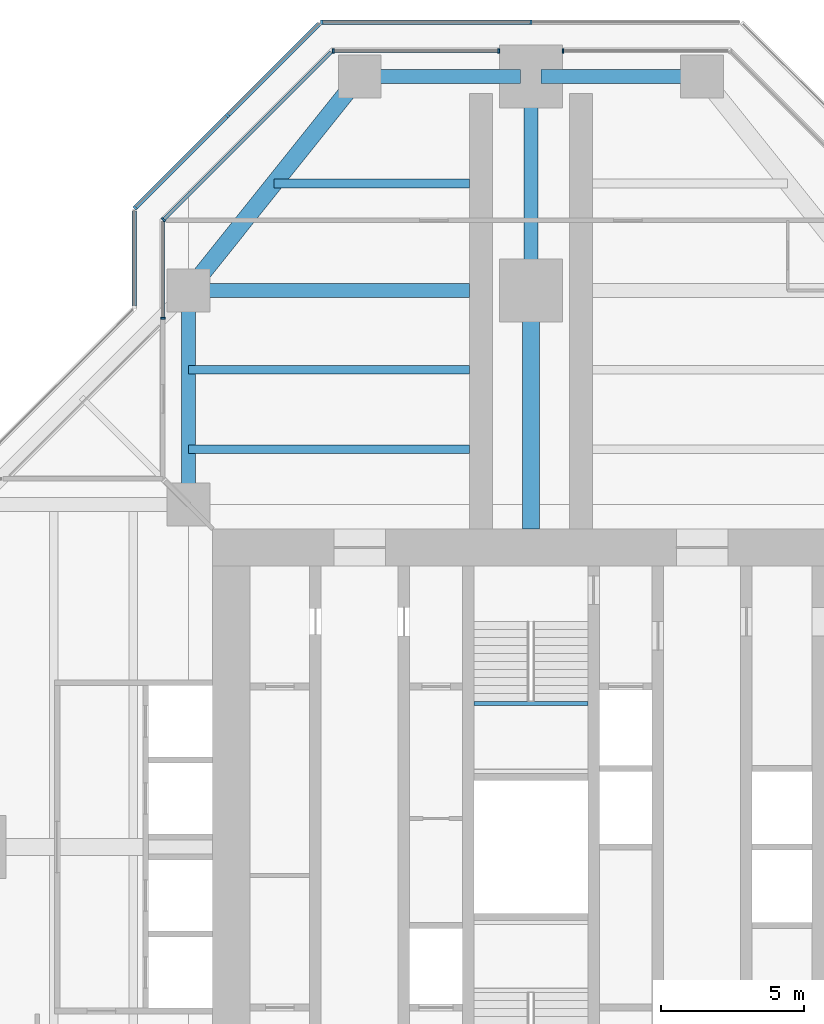
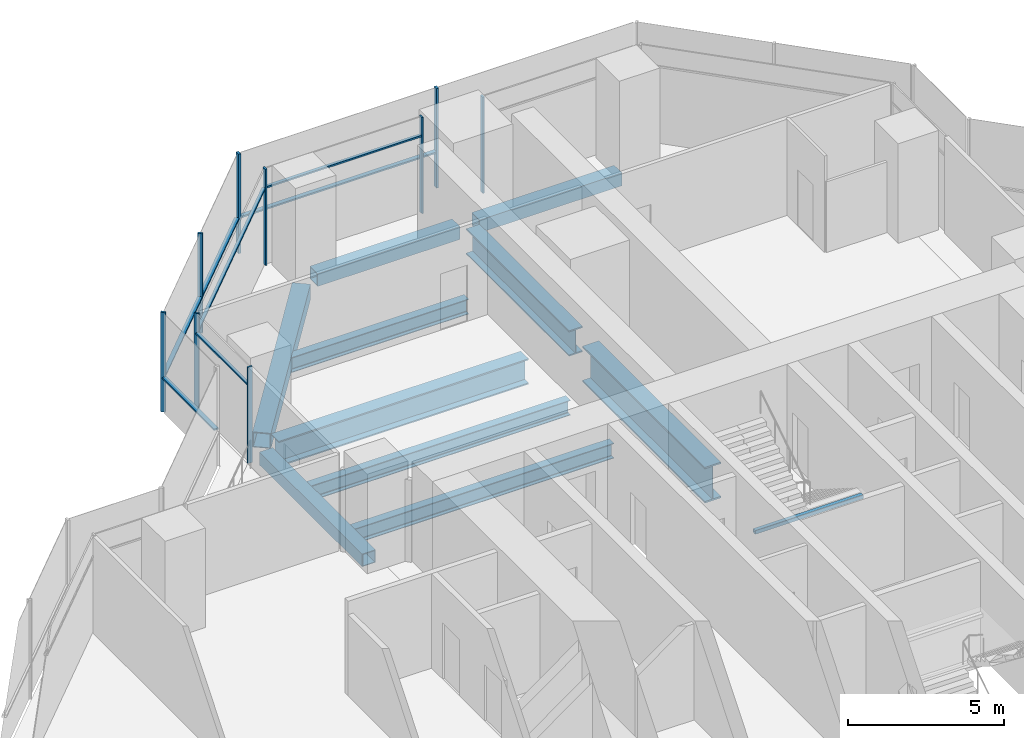
# One storey, part 7 of 17: 16 members, 11 beams, 7 elements without a shape of their own.
"""IFC4 building model written with IfcOpenShell, lengths in metres."""

from ifc_helpers import new_model, si_unit, direction, frame, origin, origin_2d, place, context, subcontext, project, spatial, rectangle, hollow_rectangle, i_section, extrude, material, material_profile, profile_set, type_object, element, aggregate, save


model = new_model("IFC4")

# Units and contexts
model_context = context("Model", 3, precision=1e-05, world=origin(), true_north=direction((0.0, 1.0)))
body_context = subcontext(model_context, "Body", "Model", "MODEL_VIEW")
ifc_project = project(units=[si_unit("LENGTHUNIT", "METRE"), si_unit("AREAUNIT", "SQUARE_METRE"), si_unit("VOLUMEUNIT", "CUBIC_METRE"), si_unit("PLANEANGLEUNIT", "RADIAN"), si_unit("MASSUNIT", "GRAM", prefix="KILO")], contexts=[model_context])

# Site, building, storey
site_placement = place(None, origin())
site = spatial("IfcSite", under=ifc_project, at=site_placement, CompositionType="ELEMENT")
building_placement = place(site_placement, origin())
building = spatial("IfcBuilding", under=site, at=building_placement, Name="Mizan Broadcast Tower", CompositionType="ELEMENT")
storey_placement = place(building_placement, frame((0.0, 0.0, 220.5)))
storey = spatial("IfcBuildingStorey", under=building, at=storey_placement, Name="L51", CompositionType="ELEMENT", Elevation=220.5)

# Beams
ifc_material_1 = material(Name="Steel S355", Category="steel")
ifc_material_profile_1 = material_profile(ifc_material_1, hollow_rectangle(XDim=0.5, YDim=0.5, WallThickness=0.030029296875, at=origin_2d()), Name="BOX 500x500x30")
ifc_profile_set_1 = profile_set([ifc_material_profile_1], Name="Steel S355")
beam_type_1 = type_object("IfcBeamType", Name="EDGE BEAM BOX 500x500x30", PredefinedType="SPANDREL", material=ifc_profile_set_1)
beam_1_placement = place(storey_placement, frame((5.639892578125, 27.0, -0.3798828125), z_axis=(-1.0, 0.0, 0.0), x_axis=(0.0, -1.0, 0.0)))
element("IfcBeam", 1, at=beam_1_placement, inside=storey, type_object=beam_type_1, Name="Edge beam BOX 500x500x30 L51 north arm", PredefinedType="SPANDREL", context=body_context, shape_type="SweptSolid", body=[
    extrude(hollow_rectangle(XDim=0.5, YDim=0.5, WallThickness=0.030029296875, at=origin_2d()), origin(), (0.0, 0.0, 1.0), 5.27978515625),
])
beam_2_placement = place(storey_placement, frame((-12.0, 12.449951171875, -0.3798828125), z_axis=(0.0, 1.0, 0.0), x_axis=(-1.0, 0.0, 0.0)))
element("IfcBeam", 2, at=beam_2_placement, inside=storey, type_object=beam_type_1, Name="Edge beam BOX 500x500x30 L51 north arm", PredefinedType="SPANDREL", context=body_context, shape_type="SweptSolid", body=[
    extrude(hollow_rectangle(XDim=0.5, YDim=0.5, WallThickness=0.030029296875, at=origin_2d()), origin(), (0.0, 0.0, 1.0), 6.60009765625),
])
beam_3_placement = place(storey_placement, frame((-5.639892578125, 27.0, -0.3798828125), z_axis=(1.0, 0.0, 0.0), x_axis=(0.0, 1.0, 0.0)))
element("IfcBeam", 3, at=beam_3_placement, inside=storey, type_object=beam_type_1, Name="Edge beam BOX 500x500x30 L51 north arm", PredefinedType="SPANDREL", context=body_context, shape_type="SweptSolid", body=[
    extrude(hollow_rectangle(XDim=0.5, YDim=0.5, WallThickness=0.030029296875, at=origin_2d()), origin(), (0.0, 0.0, 1.0), 5.27978515625),
])
ifc_material_2 = material(Name="Steel S355", Category="steel")
ifc_material_profile_2 = material_profile(ifc_material_2, hollow_rectangle(XDim=0.60009765625, YDim=0.60009765625, WallThickness=0.030029296875, at=origin_2d()), Name="BOX 600x600x30")
ifc_profile_set_2 = profile_set([ifc_material_profile_2], Name="Steel S355")
beam_type_2 = type_object("IfcBeamType", Name="EDGE BEAM BOX 600x600x30", PredefinedType="SPANDREL", material=ifc_profile_set_2)
beam_4_placement = place(storey_placement, frame((-11.639892578125, 19.949951171875, -0.429931640625), z_axis=(0.624673911726, 0.780885717636, 0.0), x_axis=(-0.780885717636, 0.624673911726, 0.0)))
element("IfcBeam", 4, at=beam_4_placement, inside=storey, type_object=beam_type_2, Name="Edge beam BOX 600x600x30 L51 north arm", PredefinedType="SPANDREL", context=body_context, shape_type="SweptSolid", body=[
    extrude(hollow_rectangle(XDim=0.60009765625, YDim=0.60009765625, WallThickness=0.030029296875, at=origin_2d()), origin(), (0.0, 0.0, 1.0), 8.4521484375),
])
ifc_material_3 = material(Name="Steel S460", Category="steel")
ifc_material_profile_3 = material_profile(ifc_material_3, i_section(OverallWidth=0.5, OverallDepth=1.0, WebThickness=0.02490234375, FlangeThickness=0.050048828125, at=origin_2d()), Name="WPG 1000x500")
ifc_profile_set_3 = profile_set([ifc_material_profile_3], Name="Steel S460")
beam_type_3 = type_object("IfcBeamType", Name="GIRDER WPG 1000x500", PredefinedType="BEAM", material=ifc_profile_set_3)
beam_5_placement = place(storey_placement, frame((0.0, 19.949951171875, -0.6298828125), z_axis=(0.0, 1.0, 0.0), x_axis=(-1.0, 0.0, 0.0)))
element("IfcBeam", 5, at=beam_5_placement, inside=storey, type_object=beam_type_3, Name="Girder WPG 1000x500 L51 north arm", PredefinedType="BEAM", context=body_context, shape_type="SweptSolid", body=[
    extrude(i_section(OverallWidth=0.5, OverallDepth=1.0, WebThickness=0.02490234375, FlangeThickness=0.050048828125, at=origin_2d()), origin(), (0.0, 0.0, 1.0), 6.60009765625),
])
beam_6_placement = place(storey_placement, frame((-11.408935546875, 19.5, -0.6298828125), z_axis=(1.0, 0.0, 0.0), x_axis=(0.0, 1.0, 0.0)))
element("IfcBeam", 6, at=beam_6_placement, inside=storey, type_object=beam_type_3, Name="Girder WPG 1000x500 L51 north arm", PredefinedType="BEAM", context=body_context, shape_type="SweptSolid", body=[
    extrude(i_section(OverallWidth=0.5, OverallDepth=1.0, WebThickness=0.02490234375, FlangeThickness=0.050048828125, at=origin_2d()), origin(), (0.0, 0.0, 1.0), 9.259033203125),
])
ifc_material_4 = material(Name="Steel S460", Category="steel")
ifc_material_profile_4 = material_profile(ifc_material_4, i_section(OverallWidth=0.60009765625, OverallDepth=1.39990234375, WebThickness=0.02490234375, FlangeThickness=0.06005859375, at=origin_2d()), Name="WPG 1400x600")
ifc_profile_set_4 = profile_set([ifc_material_profile_4], Name="Steel S460")
beam_type_4 = type_object("IfcBeamType", Name="GIRDER WPG 1400x600", PredefinedType="BEAM", material=ifc_profile_set_4)
beam_7_placement = place(storey_placement, frame((0.0, 11.14990234375, -0.830078125), z_axis=(0.0, 1.0, 0.0), x_axis=(-1.0, 0.0, 0.0)))
element("IfcBeam", 7, at=beam_7_placement, inside=storey, type_object=beam_type_4, Name="Girder WPG 1400x600 L51 north arm", PredefinedType="BEAM", context=body_context, shape_type="SweptSolid", body=[
    extrude(i_section(OverallWidth=0.60009765625, OverallDepth=1.39990234375, WebThickness=0.02490234375, FlangeThickness=0.06005859375, at=origin_2d()), origin(), (0.0, 0.0, 1.0), 7.84912109375),
])

# Curtain wall, member
ifc_material_5 = material(Name="Aluminium framed glazing", Category="aluminium")
curtain_wall_type_1 = type_object("IfcCurtainWallType", Name="INNER SKIN HIGH ZONE", PredefinedType="USERDEFINED", material=ifc_material_5)
curtain_wall_1_placement = place(storey_placement, origin())
curtain_wall_1 = element("IfcCurtainWall", 8, at=curtain_wall_1_placement, inside=storey, type_object=curtain_wall_type_1, Name="Inner skin high zone L51 N end", ObjectType="INNER SKIN HIGH ZONE", PredefinedType="USERDEFINED")
ifc_material_6 = material(Name="Aluminium, pale anodised", Category="aluminium")
ifc_material_profile_5 = material_profile(ifc_material_6, rectangle(XDim=0.159912109375, YDim=0.06005859375, at=origin_2d()), Name="MULLION 160x60")
ifc_profile_set_5 = profile_set([ifc_material_profile_5], Name="Aluminium, pale anodised")
member_type_1 = type_object("IfcMemberType", Name="INNER SKIN MULLION 60x160", PredefinedType="MULLION", material=ifc_profile_set_5)
member_1_placement = place(storey_placement, frame((1.1298828125, 27.89990234375, 0.0), z_axis=(0.0, 0.0, 1.0), x_axis=(0.0, -1.0, 0.0)))
member_1 = element("IfcMember", 9, at=member_1_placement, type_object=member_type_1, Name="Inner skin high zone L51 N end mullion 2", PredefinedType="MULLION", context=body_context, shape_type="SweptSolid", body=[
    extrude(rectangle(XDim=0.159912109375, YDim=0.06005859375, at=origin_2d()), origin(), (0.0, 0.0, 1.0), 3.77001953125),
])
aggregate(curtain_wall_1, [member_1])

# Curtain wall, members
curtain_wall_2_placement = place(storey_placement, origin())
curtain_wall_2 = element("IfcCurtainWall", 10, at=curtain_wall_2_placement, inside=storey, type_object=curtain_wall_type_1, Name="Inner skin high zone L51 N end", ObjectType="INNER SKIN HIGH ZONE", PredefinedType="USERDEFINED")
member_2_placement = place(storey_placement, frame((-1.1298828125, 27.89990234375, 0.0), z_axis=(0.0, 0.0, 1.0), x_axis=(0.0, -1.0, 0.0)))
member_2 = element("IfcMember", 11, at=member_2_placement, type_object=member_type_1, Name="Inner skin high zone L51 N end mullion 1", PredefinedType="MULLION", context=body_context, shape_type="SweptSolid", body=[
    extrude(rectangle(XDim=0.159912109375, YDim=0.06005859375, at=origin_2d()), origin(), (0.0, 0.0, 1.0), 3.77001953125),
])
member_3_placement = place(storey_placement, frame((-6.928466796875, 27.89990234375, 0.0), z_axis=(0.0, 0.0, 1.0), x_axis=(0.0, -1.0, 0.0)))
member_3 = element("IfcMember", 12, at=member_3_placement, type_object=member_type_1, Name="Inner skin high zone L51 N end mullion 2", PredefinedType="MULLION", context=body_context, shape_type="SweptSolid", body=[
    extrude(rectangle(XDim=0.159912109375, YDim=0.06005859375, at=origin_2d()), origin(), (0.0, 0.0, 1.0), 3.77001953125),
])

# Curtain wall, member
curtain_wall_3_placement = place(storey_placement, origin())
curtain_wall_3 = element("IfcCurtainWall", 13, at=curtain_wall_3_placement, inside=storey, type_object=curtain_wall_type_1, Name="Inner skin high zone L51 N chamfer", ObjectType="INNER SKIN HIGH ZONE", PredefinedType="USERDEFINED")
member_4_placement = place(storey_placement, frame((-12.87890625, 21.979736328125, 0.0), z_axis=(0.0, 0.0, 1.0), x_axis=(0.707106781187, -0.707106781187, 0.0)))
member_4 = element("IfcMember", 14, at=member_4_placement, type_object=member_type_1, Name="Inner skin high zone L51 N chamfer mullion 2", PredefinedType="MULLION", context=body_context, shape_type="SweptSolid", body=[
    extrude(rectangle(XDim=0.159912109375, YDim=0.06005859375, at=origin_2d()), origin(), (0.0, 0.0, 1.0), 3.77001953125),
])

curtain_wall_4_placement = place(storey_placement, origin())
curtain_wall_4 = element("IfcCurtainWall", 15, at=curtain_wall_4_placement, inside=storey, type_object=curtain_wall_type_1, Name="Inner skin high zone L51 N side", ObjectType="INNER SKIN HIGH ZONE", PredefinedType="USERDEFINED")
member_5_placement = place(storey_placement, frame((-12.89990234375, 18.530029296875, 0.0), z_axis=(0.0, 0.0, 1.0), x_axis=(1.0, 0.0, 0.0)))
member_5 = element("IfcMember", 16, at=member_5_placement, type_object=member_type_1, Name="Inner skin high zone L51 N side mullion 2", PredefinedType="MULLION", context=body_context, shape_type="SweptSolid", body=[
    extrude(rectangle(XDim=0.159912109375, YDim=0.06005859375, at=origin_2d()), origin(), (0.0, 0.0, 1.0), 3.77001953125),
])

# Member
ifc_material_7 = material(Name="Aluminium, pale anodised", Category="aluminium")
ifc_material_profile_6 = material_profile(ifc_material_7, rectangle(XDim=0.1201171875, YDim=0.06005859375, at=origin_2d()), Name="TRANSOM 120x60")
ifc_profile_set_6 = profile_set([ifc_material_profile_6], Name="Aluminium, pale anodised")
member_type_2 = type_object("IfcMemberType", Name="INNER SKIN TRANSOM 60x120", PredefinedType="USERDEFINED", material=ifc_profile_set_6)
member_6_placement = place(storey_placement, frame((-1.159912109375, 27.89990234375, 3.030029296875), z_axis=(-1.0, 0.0, 0.0), x_axis=(0.0, -1.0, 0.0)))
member_6 = element("IfcMember", 17, at=member_6_placement, type_object=member_type_2, Name="Inner skin high zone L51 N end transom 1.1", ObjectType="TRANSOM", PredefinedType="USERDEFINED", context=body_context, shape_type="SweptSolid", body=[
    extrude(rectangle(XDim=0.1201171875, YDim=0.06005859375, at=origin_2d()), origin(), (0.0, 0.0, 1.0), 5.73876953125),
])

aggregate(curtain_wall_2, [member_2, member_3, member_6])

member_7_placement = place(storey_placement, frame((-7.0009765625, 27.857666015625, 3.030029296875), z_axis=(-0.707106781187, -0.707106781187, 0.0), x_axis=(0.707106781187, -0.707106781187, 0.0)))
member_7 = element("IfcMember", 18, at=member_7_placement, type_object=member_type_2, Name="Inner skin high zone L51 N chamfer transom 1.1", ObjectType="TRANSOM", PredefinedType="USERDEFINED", context=body_context, shape_type="SweptSolid", body=[
    extrude(rectangle(XDim=0.1201171875, YDim=0.06005859375, at=origin_2d()), origin(), (0.0, 0.0, 1.0), 8.28271484375),
])

aggregate(curtain_wall_3, [member_4, member_7])

member_8_placement = place(storey_placement, frame((-12.89990234375, 21.898681640625, 3.030029296875), z_axis=(0.0, -1.0, 0.0), x_axis=(1.0, 0.0, 0.0)))
member_8 = element("IfcMember", 19, at=member_8_placement, type_object=member_type_2, Name="Inner skin high zone L51 N side transom 1.1", ObjectType="TRANSOM", PredefinedType="USERDEFINED", context=body_context, shape_type="SweptSolid", body=[
    extrude(rectangle(XDim=0.1201171875, YDim=0.06005859375, at=origin_2d()), origin(), (0.0, 0.0, 1.0), 3.338623046875),
])

aggregate(curtain_wall_4, [member_5, member_8])

# Beam
ifc_material_8 = material(Name="Steel S355", Category="steel")
ifc_material_profile_7 = material_profile(ifc_material_8, hollow_rectangle(XDim=0.14990234375, YDim=0.14990234375, WallThickness=0.008056640625, InnerFilletRadius=0.008056640625, OuterFilletRadius=0.011962890625, at=origin_2d()), Name="SHS 150x150x8")
ifc_profile_set_7 = profile_set([ifc_material_profile_7], Name="Steel S355")
beam_type_5 = type_object("IfcBeamType", Name="LANDING TRIMMER SHS 150x150x8", PredefinedType="BEAM", material=ifc_profile_set_7)
beam_8_placement = place(storey_placement, frame((2.0, 5.02490234375, 1.675048828125), z_axis=(-1.0, 0.0, 0.0), x_axis=(0.0, -1.0, 0.0)))
element("IfcBeam", 20, at=beam_8_placement, inside=storey, type_object=beam_type_5, Name="Stair B landing trimmer L51", PredefinedType="BEAM", context=body_context, shape_type="SweptSolid", body=[
    extrude(hollow_rectangle(XDim=0.14990234375, YDim=0.14990234375, WallThickness=0.008056640625, InnerFilletRadius=0.008056640625, OuterFilletRadius=0.011962890625, at=origin_2d()), origin(), (0.0, 0.0, 1.0), 4.0),
])

# Curtain wall, members
ifc_material_9 = material(Name="Aluminium framed glazing", Category="aluminium")
curtain_wall_type_2 = type_object("IfcCurtainWallType", Name="OUTER SKIN", PredefinedType="USERDEFINED", material=ifc_material_9)
curtain_wall_5_placement = place(storey_placement, origin())
curtain_wall_5 = element("IfcCurtainWall", 21, at=curtain_wall_5_placement, inside=storey, type_object=curtain_wall_type_2, Name="Outer skin L51 N end", ObjectType="OUTER SKIN", PredefinedType="USERDEFINED")
ifc_material_10 = material(Name="Aluminium, pale anodised", Category="aluminium")
ifc_material_profile_8 = material_profile(ifc_material_10, rectangle(XDim=0.159912109375, YDim=0.080078125, at=origin_2d()), Name="MULLION 160x80")
ifc_profile_set_8 = profile_set([ifc_material_profile_8], Name="Aluminium, pale anodised")
member_type_3 = type_object("IfcMemberType", Name="OUTER SKIN MULLION 80x160", PredefinedType="MULLION", material=ifc_profile_set_8)
member_9_placement = place(storey_placement, frame((0.0, 28.89990234375, 0.0), z_axis=(0.0, 0.0, 1.0), x_axis=(0.0, -1.0, 0.0)))
member_9 = element("IfcMember", 22, at=member_9_placement, type_object=member_type_3, Name="Outer skin L51 N end mullion 2", PredefinedType="MULLION", context=body_context, shape_type="SweptSolid", body=[
    extrude(rectangle(XDim=0.159912109375, YDim=0.080078125, at=origin_2d()), origin(), (0.0, 0.0, 1.0), 3.89990234375),
])
member_10_placement = place(storey_placement, frame((-7.332763671875, 28.89990234375, 0.0), z_axis=(0.0, 0.0, 1.0), x_axis=(0.0, -1.0, 0.0)))
member_10 = element("IfcMember", 23, at=member_10_placement, type_object=member_type_3, Name="Outer skin L51 N end mullion 3", PredefinedType="MULLION", context=body_context, shape_type="SweptSolid", body=[
    extrude(rectangle(XDim=0.159912109375, YDim=0.080078125, at=origin_2d()), origin(), (0.0, 0.0, 1.0), 3.89990234375),
])

curtain_wall_6_placement = place(storey_placement, origin())
curtain_wall_6 = element("IfcCurtainWall", 24, at=curtain_wall_6_placement, inside=storey, type_object=curtain_wall_type_2, Name="Outer skin L51 N chamfer", ObjectType="OUTER SKIN", PredefinedType="USERDEFINED")
member_11_placement = place(storey_placement, frame((-10.636474609375, 25.636474609375, 0.0), z_axis=(0.0, 0.0, 1.0), x_axis=(0.707106781187, -0.707106781187, 0.0)))
member_11 = element("IfcMember", 25, at=member_11_placement, type_object=member_type_3, Name="Outer skin L51 N chamfer mullion 2", PredefinedType="MULLION", context=body_context, shape_type="SweptSolid", body=[
    extrude(rectangle(XDim=0.159912109375, YDim=0.080078125, at=origin_2d()), origin(), (0.0, 0.0, 1.0), 3.89990234375),
])
member_12_placement = place(storey_placement, frame((-13.871826171875, 22.401123046875, 0.0), z_axis=(0.0, 0.0, 1.0), x_axis=(0.707106781187, -0.707106781187, 0.0)))
member_12 = element("IfcMember", 26, at=member_12_placement, type_object=member_type_3, Name="Outer skin L51 N chamfer mullion 3", PredefinedType="MULLION", context=body_context, shape_type="SweptSolid", body=[
    extrude(rectangle(XDim=0.159912109375, YDim=0.080078125, at=origin_2d()), origin(), (0.0, 0.0, 1.0), 3.89990234375),
])

# Member
ifc_material_11 = material(Name="Aluminium, pale anodised", Category="aluminium")
ifc_material_profile_9 = material_profile(ifc_material_11, rectangle(XDim=0.159912109375, YDim=0.06005859375, at=origin_2d()), Name="TRANSOM 160x60")
ifc_profile_set_9 = profile_set([ifc_material_profile_9], Name="Aluminium, pale anodised")
member_type_4 = type_object("IfcMemberType", Name="OUTER SKIN TRANSOM 60x160", PredefinedType="USERDEFINED", material=ifc_profile_set_9)
member_13_placement = place(storey_placement, frame((-0.0400390625, 28.89990234375, 1.39990234375), z_axis=(-1.0, 0.0, 0.0), x_axis=(0.0, -1.0, 0.0)))
member_13 = element("IfcMember", 27, at=member_13_placement, type_object=member_type_4, Name="Outer skin L51 N end transom 2.1", ObjectType="TRANSOM", PredefinedType="USERDEFINED", context=body_context, shape_type="SweptSolid", body=[
    extrude(rectangle(XDim=0.159912109375, YDim=0.06005859375, at=origin_2d()), origin(), (0.0, 0.0, 1.0), 7.252685546875),
])

aggregate(curtain_wall_5, [member_9, member_10, member_13])

member_14_placement = place(storey_placement, frame((-7.429443359375, 28.843505859375, 1.39990234375), z_axis=(-0.707106781187, -0.707106781187, 0.0), x_axis=(0.707106781187, -0.707106781187, 0.0)))
member_14 = element("IfcMember", 28, at=member_14_placement, type_object=member_type_4, Name="Outer skin L51 N chamfer transom 1.1", ObjectType="TRANSOM", PredefinedType="USERDEFINED", context=body_context, shape_type="SweptSolid", body=[
    extrude(rectangle(XDim=0.159912109375, YDim=0.06005859375, at=origin_2d()), origin(), (0.0, 0.0, 1.0), 4.495361328125),
])

member_15_placement = place(storey_placement, frame((-10.664794921875, 25.608154296875, 1.39990234375), z_axis=(-0.707106781187, -0.707106781187, 0.0), x_axis=(0.707106781187, -0.707106781187, 0.0)))
member_15 = element("IfcMember", 29, at=member_15_placement, type_object=member_type_4, Name="Outer skin L51 N chamfer transom 2.1", ObjectType="TRANSOM", PredefinedType="USERDEFINED", context=body_context, shape_type="SweptSolid", body=[
    extrude(rectangle(XDim=0.159912109375, YDim=0.06005859375, at=origin_2d()), origin(), (0.0, 0.0, 1.0), 4.495361328125),
])

aggregate(curtain_wall_6, [member_11, member_12, member_14, member_15])

# Curtain wall, member
curtain_wall_7_placement = place(storey_placement, origin())
curtain_wall_7 = element("IfcCurtainWall", 30, at=curtain_wall_7_placement, inside=storey, type_object=curtain_wall_type_2, Name="Outer skin L51 N side", ObjectType="OUTER SKIN", PredefinedType="USERDEFINED")
member_16_placement = place(storey_placement, frame((-13.89990234375, 22.292724609375, 1.39990234375), z_axis=(0.0, -1.0, 0.0), x_axis=(1.0, 0.0, 0.0)))
member_16 = element("IfcMember", 31, at=member_16_placement, type_object=member_type_4, Name="Outer skin L51 N side transom 1.1", ObjectType="TRANSOM", PredefinedType="USERDEFINED", context=body_context, shape_type="SweptSolid", body=[
    extrude(rectangle(XDim=0.159912109375, YDim=0.06005859375, at=origin_2d()), origin(), (0.0, 0.0, 1.0), 3.33984375),
])
aggregate(curtain_wall_7, [member_16])

# Beams
ifc_material_12 = material(Name="Steel S355", Category="steel")
ifc_material_profile_10 = material_profile(ifc_material_12, i_section(OverallWidth=0.300048828125, OverallDepth=0.590087890625, WebThickness=0.012939453125, FlangeThickness=0.02490234375, FilletRadius=0.027099609375, at=origin_2d()), Name="HEA 600")
ifc_profile_set_10 = profile_set([ifc_material_profile_10], Name="Steel S355")
beam_type_6 = type_object("IfcBeamType", Name="SECONDARY BEAM HEA 600", PredefinedType="JOIST", material=ifc_profile_set_10)
for number, where, z_axis, x_axis, name in (
    (32, (-12.0, 13.933349609375, -0.425048828125), (1.0, 0.0, 0.0), (0.0, 1.0, 0.0), "Secondary beam HEA 600 L51 north arm"),
    (33, (-12.0, 16.716552734375, -0.425048828125), (1.0, 0.0, 0.0), (0.0, 1.0, 0.0), "Secondary beam HEA 600 L51 north arm"),
):
    element("IfcBeam", number, at=place(storey_placement, frame(where, z_axis=z_axis, x_axis=x_axis)), inside=storey, type_object=beam_type_6, Name=name, PredefinedType="JOIST", context=body_context, shape_type="SweptSolid", body=[
        extrude(i_section(OverallWidth=0.300048828125, OverallDepth=0.590087890625, WebThickness=0.012939453125, FlangeThickness=0.02490234375, FilletRadius=0.027099609375, at=origin_2d()), origin(), (0.0, 0.0, 1.0), 9.85009765625),
    ])
beam_9_placement = place(storey_placement, frame((-9.0, 23.25, -0.425048828125), z_axis=(1.0, 0.0, 0.0), x_axis=(0.0, 1.0, 0.0)))
element("IfcBeam", 34, at=beam_9_placement, inside=storey, type_object=beam_type_6, Name="Secondary beam HEA 600 L51 north arm", PredefinedType="JOIST", context=body_context, shape_type="SweptSolid", body=[
    extrude(i_section(OverallWidth=0.300048828125, OverallDepth=0.590087890625, WebThickness=0.012939453125, FlangeThickness=0.02490234375, FilletRadius=0.027099609375, at=origin_2d()), origin(), (0.0, 0.0, 1.0), 6.85009765625),
])

save(model, "model.ifc")
